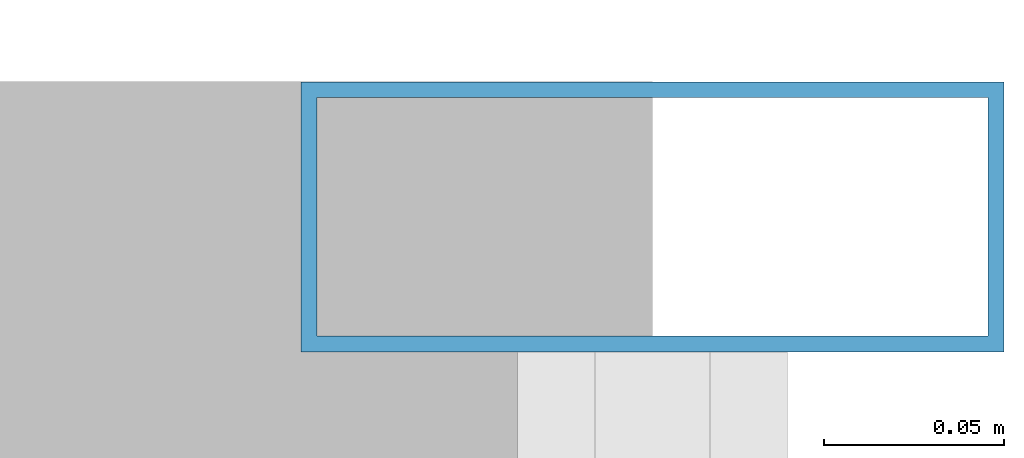
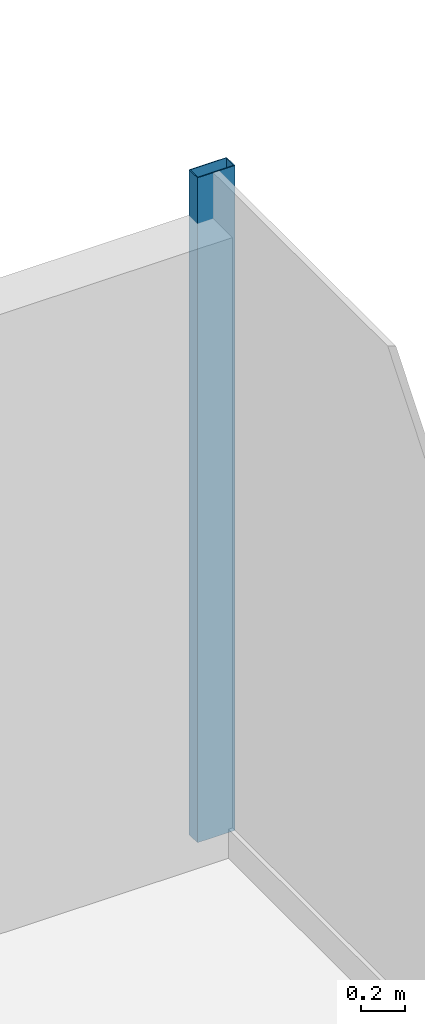
# One storey, part 18 of 25: 1 member, 1 element without a shape of its own.
"""IFC4 building model written with IfcOpenShell, lengths in metres."""

from ifc_helpers import new_model, si_unit, derived_unit, direction, frame, origin, origin_2d, place, context, subcontext, project, spatial, hollow_rectangle, extrude, source, transform, mapped, material, material_profile, profile_set, type_object, element, aggregate, save


model = new_model("IFC4")

# Units and contexts
model_context = context("Model", 3, precision=1e-05, world=origin(), true_north=direction((0.0, 1.0)))
body_context = subcontext(model_context, "Body", "Model", "MODEL_VIEW")
ifc_project = project(units=[si_unit("LENGTHUNIT", "METRE"), si_unit("AREAUNIT", "SQUARE_METRE"), si_unit("VOLUMEUNIT", "CUBIC_METRE"), si_unit("PLANEANGLEUNIT", "RADIAN"), si_unit("MASSUNIT", "GRAM", prefix="KILO"), derived_unit("THERMALTRANSMITTANCEUNIT", [(si_unit("POWERUNIT", "WATT"), 1), (si_unit("LENGTHUNIT", "METRE"), -2), (si_unit("THERMODYNAMICTEMPERATUREUNIT", "KELVIN"), -1)])], contexts=[model_context])

# Site, building, storey
site_placement = place(None, origin())
site = spatial("IfcSite", under=ifc_project, at=site_placement, CompositionType="ELEMENT")
building_placement = place(site_placement, origin())
building = spatial("IfcBuilding", under=site, at=building_placement, Name="Skarnbrae Concourse Arena and Tower", CompositionType="ELEMENT")
storey_placement = place(building_placement, frame((0.0, 0.0, 151.550048828125)))
storey = spatial("IfcBuildingStorey", under=building, at=storey_placement, Name="L38", CompositionType="ELEMENT", Elevation=151.550048828125)

# Curtain wall, member
ifc_material = material(Name="Bronze anodised aluminium 6063-T6", Category="aluminium")
curtain_wall_type = type_object("IfcCurtainWallType", Name="CW-SYS-04-MIDZONE", PredefinedType="USERDEFINED", material=ifc_material)
curtain_wall_placement = place(storey_placement, origin())
curtain_wall = element("IfcCurtainWall", 1, at=curtain_wall_placement, inside=storey, type_object=curtain_wall_type, Name="L38 Unitised curtain wall CW-L38-E04", ObjectType="UNITISED CURTAIN WALL", PredefinedType="USERDEFINED")
ifc_material_profile = material_profile(ifc_material, hollow_rectangle(XDim=0.074951171875, YDim=0.195068359375, WallThickness=0.00439453125, at=origin_2d()), Name="ALU-MULL-75X195")
ifc_profile_set = profile_set([ifc_material_profile], Name="Bronze anodised aluminium 6063-T6")
member_type = type_object("IfcMemberType", Name="CWM-CW-04", PredefinedType="MULLION", material=ifc_profile_set)
shared_shape = source(origin(), body_context, "Body", "SweptSolid", [
    extrude(hollow_rectangle(XDim=0.074951171875, YDim=0.195068359375, WallThickness=0.00439453125, at=origin_2d()), origin(), (0.0, 0.0, 1.0), 3.64990234375),
])
member_placement = place(storey_placement, frame((50.0, 32.96240234375, 0.0), z_axis=(0.0, 0.0, 1.0), x_axis=(0.0, 1.0, 0.0)))
member = element("IfcMember", 2, at=member_placement, type_object=member_type, Name="CW-L38-E04 Mullion 5", PredefinedType="MULLION", context=body_context, shape_type="MappedRepresentation", body=[
    mapped(shared_shape, transform((0.0, 0.0, 0.0))),
])
aggregate(curtain_wall, [member])

save(model, "model.ifc")
